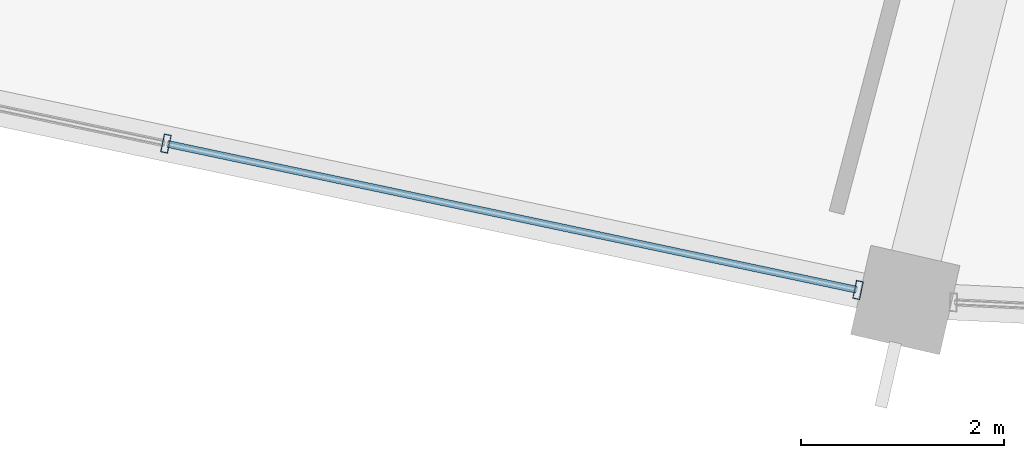
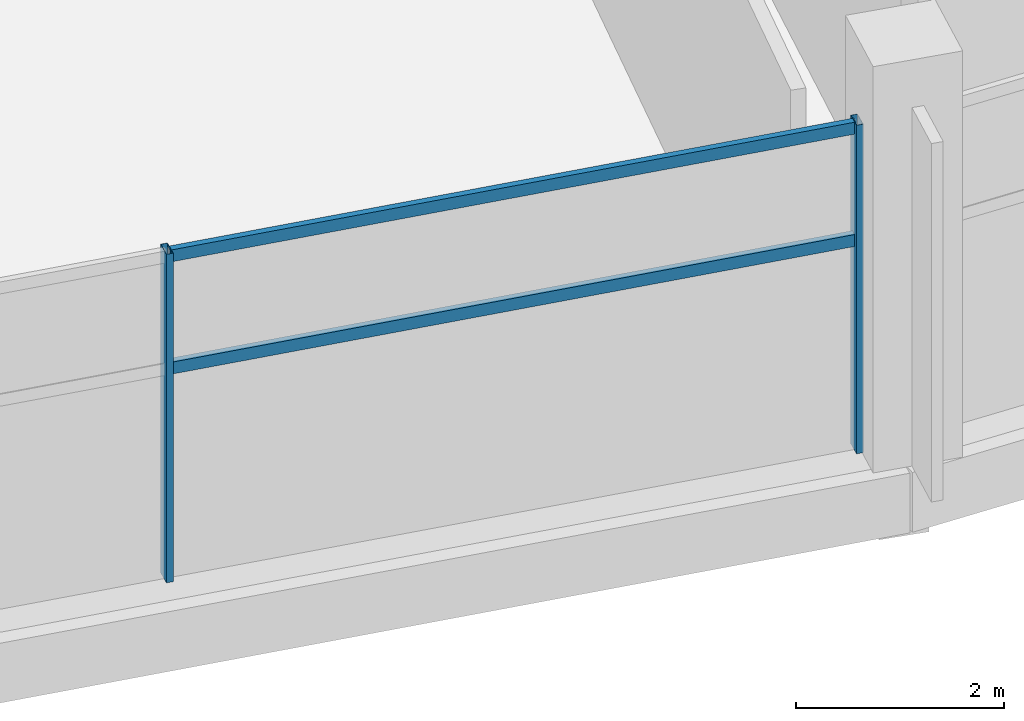
# One storey, part 15 of 156: 4 members, 1 element without a shape of its own.
"""IFC4 building model written with IfcOpenShell, lengths in metres."""

from ifc_helpers import new_model, si_unit, direction, frame, origin, origin_2d, place, context, subcontext, project, spatial, hollow_rectangle, extrude, material, layer, layer_set, material_profile, profile_set, type_object, element, aggregate, save


model = new_model("IFC4")

# Units and contexts
model_context = context("Model", 3, precision=1e-05, world=origin(), true_north=direction((0.0, 1.0)))
body_context = subcontext(model_context, "Body", "Model", "MODEL_VIEW")
ifc_project = project(units=[si_unit("LENGTHUNIT", "METRE"), si_unit("AREAUNIT", "SQUARE_METRE"), si_unit("VOLUMEUNIT", "CUBIC_METRE"), si_unit("PLANEANGLEUNIT", "RADIAN"), si_unit("MASSUNIT", "GRAM", prefix="KILO")], contexts=[model_context])

# Site, building, storey
site_placement = place(None, origin())
site = spatial("IfcSite", under=ifc_project, at=site_placement, CompositionType="ELEMENT")
building_placement = place(site_placement, origin())
building = spatial("IfcBuilding", under=site, at=building_placement, Name="Kazemori Nagisa Stadium", CompositionType="ELEMENT")
storey_placement = place(building_placement, frame((0.0, 0.0, 5.780029296875)))
storey = spatial("IfcBuildingStorey", under=building, at=storey_placement, Name="L01", CompositionType="ELEMENT", Elevation=5.780029296875)

# Curtain wall, members
ifc_material_1 = material(Name="Anodised aluminium 6063-T5", Category="aluminium")
ifc_layer = layer(ifc_material_1, 0.179931640625, Name="Anodised aluminium 6063-T5", Category="aluminium")
ifc_layer_set = layer_set([ifc_layer], Name="Anodised aluminium 6063-T5")
curtain_wall_type = type_object("IfcCurtainWallType", Name="CW_L01R3_105", PredefinedType="USERDEFINED", material=ifc_layer_set)
curtain_wall_placement = place(storey_placement, origin())
curtain_wall = element("IfcCurtainWall", 1, at=curtain_wall_placement, inside=storey, type_object=curtain_wall_type, Name="Unitised curtain wall CW-L01R3-105 L01", ObjectType="UNITISED CURTAIN WALL", PredefinedType="USERDEFINED")
ifc_material_2 = material(Name="Aluminium 6063-T5 anodised", Category="aluminium")
ifc_material_profile_1 = material_profile(ifc_material_2, hollow_rectangle(XDim=0.070068359375, YDim=0.179931640625, WallThickness=0.00390625, at=origin_2d()), Name="ALU-MULL-70x180x4")
ifc_profile_set_1 = profile_set([ifc_material_profile_1], Name="Aluminium 6063-T5 anodised")
member_type_1 = type_object("IfcMemberType", Name="Mullion_M01", PredefinedType="MULLION", material=ifc_profile_set_1)
member_1_placement = place(storey_placement, frame((94.291748046875, 18.553466796875, 0.0), z_axis=(0.0, 0.0, 1.0), x_axis=(0.978344955407, -0.206981033502, 0.0)))
member_1 = element("IfcMember", 2, at=member_1_placement, type_object=member_type_1, Name="Curtain wall mullion CW-L01R3-105-M3", PredefinedType="MULLION", context=body_context, shape_type="SweptSolid", body=[
    extrude(hollow_rectangle(XDim=0.070068359375, YDim=0.179931640625, WallThickness=0.00390625, at=origin_2d()), origin(), (0.0, 0.0, 1.0), 3.849853515625),
])
member_2_placement = place(storey_placement, frame((101.107666015625, 17.111572265625, 0.0), z_axis=(0.0, 0.0, 1.0), x_axis=(0.978344955407, -0.206981033502, 0.0)))
member_2 = element("IfcMember", 3, at=member_2_placement, type_object=member_type_1, Name="Curtain wall mullion CW-L01R3-105-M4", PredefinedType="MULLION", context=body_context, shape_type="SweptSolid", body=[
    extrude(hollow_rectangle(XDim=0.070068359375, YDim=0.179931640625, WallThickness=0.00390625, at=origin_2d()), origin(), (0.0, 0.0, 1.0), 3.849853515625),
])
ifc_material_profile_2 = material_profile(ifc_material_2, hollow_rectangle(XDim=0.070068359375, YDim=0.139892578125, WallThickness=0.00390625, at=origin_2d()), Name="ALU-TRAN-70x140x4")
ifc_profile_set_2 = profile_set([ifc_material_profile_2], Name="Aluminium 6063-T5 anodised")
member_type_2 = type_object("IfcMemberType", Name="Transom_T01", PredefinedType="USERDEFINED", material=ifc_profile_set_2)
member_3_placement = place(storey_placement, frame((94.311279296875, 18.54931640625, 2.4638671875), z_axis=(0.978348879673, -0.20696248366, 0.0), x_axis=(0.20696248366, 0.978348879673, 0.0)))
member_3 = element("IfcMember", 4, at=member_3_placement, type_object=member_type_2, Name="Curtain wall transom CW-L01R3-105-T3-mid", ObjectType="TRANSOM", PredefinedType="USERDEFINED", context=body_context, shape_type="SweptSolid", body=[
    extrude(hollow_rectangle(XDim=0.070068359375, YDim=0.139892578125, WallThickness=0.00390625, at=origin_2d()), origin(), (0.0, 0.0, 1.0), 6.9267578125),
])
member_4_placement = place(storey_placement, frame((94.311279296875, 18.54931640625, 3.780029296875), z_axis=(0.978348879673, -0.20696248366, 0.0), x_axis=(0.20696248366, 0.978348879673, 0.0)))
member_4 = element("IfcMember", 5, at=member_4_placement, type_object=member_type_2, Name="Curtain wall transom CW-L01R3-105-T3-head", ObjectType="TRANSOM", PredefinedType="USERDEFINED", context=body_context, shape_type="SweptSolid", body=[
    extrude(hollow_rectangle(XDim=0.070068359375, YDim=0.139892578125, WallThickness=0.00390625, at=origin_2d()), origin(), (0.0, 0.0, 1.0), 6.9267578125),
])
aggregate(curtain_wall, [member_1, member_2, member_3, member_4])

save(model, "model.ifc")
